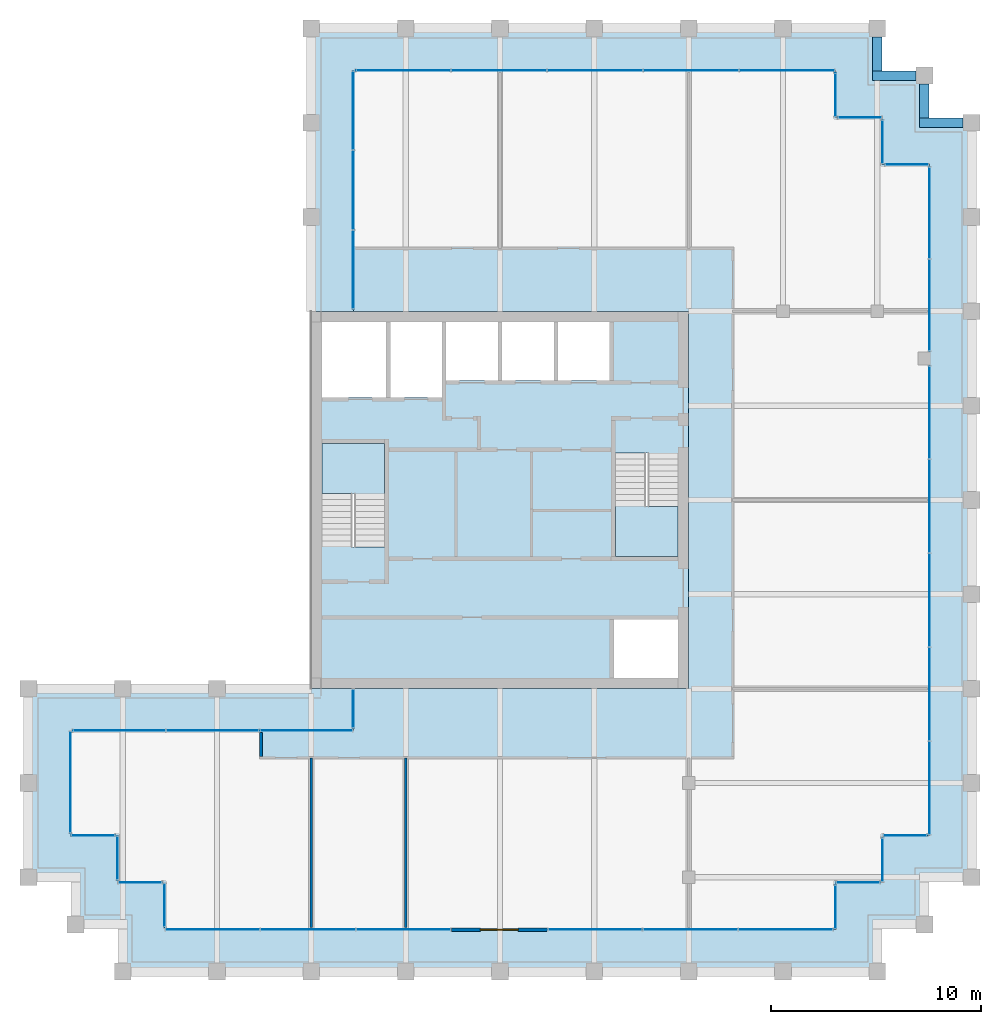
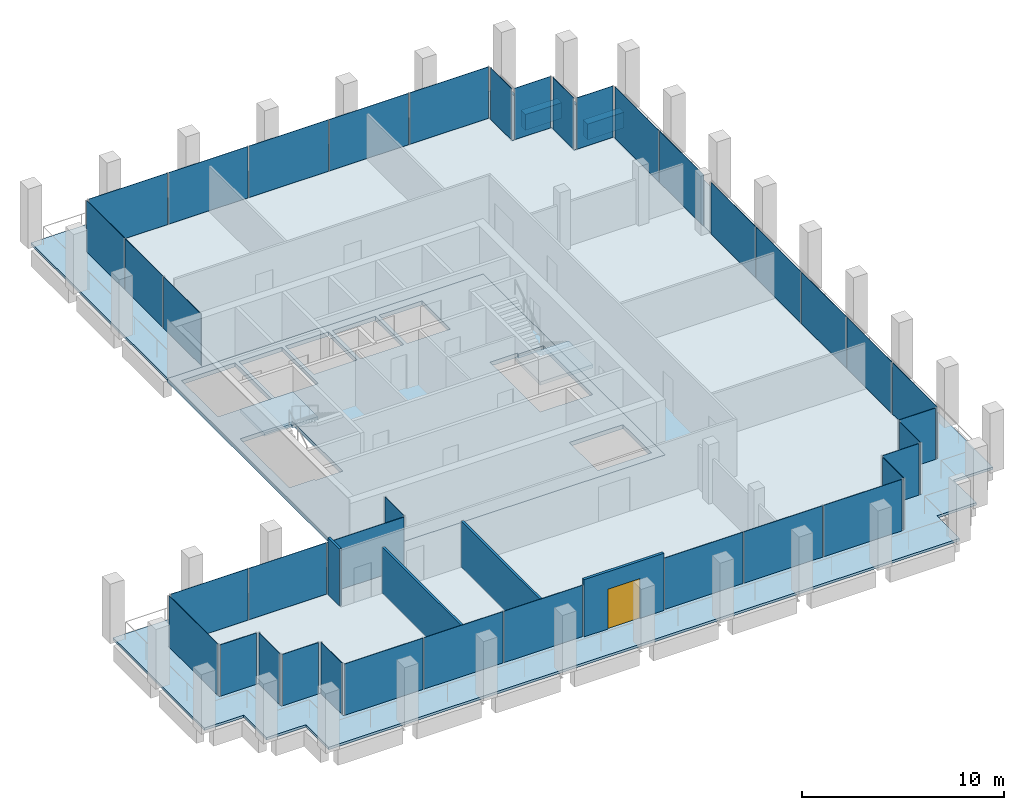
# One storey, part 27 of 30: 38 plates, 5 slabs, 4 beams, 4 walls, 1 door, 1 opening, 23 elements without a shape of their own.
"""IFC4 building model written with IfcOpenShell, lengths in metres."""

from ifc_helpers import new_model, si_unit, direction, frame, frame_2d, origin, origin_2d, place, context, subcontext, project, spatial, polyline, rectangle, outline, extrude, material, layer, layer_set, material_profile, profile_set, type_object, element, fill, aggregate, save


model = new_model("IFC4")

# Units and contexts
model_context = context("Model", 3, precision=1e-05, world=origin(), true_north=direction((0.0, 1.0)))
body_context = subcontext(model_context, "Body", "Model", "MODEL_VIEW")
ifc_project = project(units=[si_unit("LENGTHUNIT", "METRE"), si_unit("AREAUNIT", "SQUARE_METRE"), si_unit("VOLUMEUNIT", "CUBIC_METRE"), si_unit("PLANEANGLEUNIT", "RADIAN"), si_unit("MASSUNIT", "GRAM", prefix="KILO")], contexts=[model_context])

# Site, building, storey
site_placement = place(None, origin())
site = spatial("IfcSite", under=ifc_project, at=site_placement, CompositionType="ELEMENT")
building_placement = place(site_placement, origin())
building = spatial("IfcBuilding", under=site, at=building_placement, Name="Altepetl Exchange Towers", CompositionType="ELEMENT")
storey_placement = place(building_placement, frame((0.0, 0.0, 235.199951171875)))
storey = spatial("IfcBuildingStorey", under=building, at=storey_placement, Name="L60", CompositionType="ELEMENT", Elevation=235.199951171875)

# Beams
ifc_material_1 = material(Name="Concrete C50/60 precast with cantera rosa facing", Category="concrete")
ifc_material_profile = material_profile(ifc_material_1, rectangle(XDim=0.449951171875, YDim=0.949951171875, at=origin_2d()), Name="450 x 950")
ifc_profile_set = profile_set([ifc_material_profile], Name="Concrete C50/60 precast with cantera rosa facing")
beam_type = type_object("IfcBeamType", Name="Spandrel beam 450x950 cantera rosa", PredefinedType="SPANDREL", material=ifc_profile_set)
beam_1_placement = place(storey_placement, frame((71.60009765625, 67.5, -0.625), z_axis=(-1.0, 0.0, 0.0), x_axis=(0.0, -1.0, 0.0)))
element("IfcBeam", 1, at=beam_1_placement, inside=storey, type_object=beam_type, Name="sp:A:L60:020", PredefinedType="SPANDREL", context=body_context, shape_type="SweptSolid", body=[
    extrude(rectangle(XDim=0.449951171875, YDim=0.949951171875, at=origin_2d()), origin(), (0.0, 0.0, 1.0), 2.0751953125),
])
beam_2_placement = place(storey_placement, frame((69.75, 67.72509765625, -0.625), z_axis=(0.0, 1.0, 0.0), x_axis=(-1.0, 0.0, 0.0)))
element("IfcBeam", 2, at=beam_2_placement, inside=storey, type_object=beam_type, Name="sp:A:L60:021", PredefinedType="SPANDREL", context=body_context, shape_type="SweptSolid", body=[
    extrude(rectangle(XDim=0.449951171875, YDim=0.949951171875, at=origin_2d()), origin(), (0.0, 0.0, 1.0), 1.625),
])
beam_3_placement = place(storey_placement, frame((69.35009765625, 69.75, -0.625), z_axis=(-1.0, 0.0, 0.0), x_axis=(0.0, -1.0, 0.0)))
element("IfcBeam", 3, at=beam_3_placement, inside=storey, type_object=beam_type, Name="sp:A:L60:022", PredefinedType="SPANDREL", context=body_context, shape_type="SweptSolid", body=[
    extrude(rectangle(XDim=0.449951171875, YDim=0.949951171875, at=origin_2d()), origin(), (0.0, 0.0, 1.0), 2.0751953125),
])
beam_4_placement = place(storey_placement, frame((67.5, 69.97509765625, -0.625), z_axis=(0.0, 1.0, 0.0), x_axis=(-1.0, 0.0, 0.0)))
element("IfcBeam", 4, at=beam_4_placement, inside=storey, type_object=beam_type, Name="sp:A:L60:023", PredefinedType="SPANDREL", context=body_context, shape_type="SweptSolid", body=[
    extrude(rectangle(XDim=0.449951171875, YDim=0.949951171875, at=origin_2d()), origin(), (0.0, 0.0, 1.0), 1.625),
])

# Slabs
ifc_material_2 = material(Name="Concrete C40/50", Category="concrete")
ifc_layer_1 = layer(ifc_material_2, 0.14990234375)
ifc_layer_set_1 = layer_set([ifc_layer_1], Name="Concrete C40/50")
slab_type_1 = type_object("IfcSlabType", Name="Composite floor slab 150", PredefinedType="FLOOR", material=ifc_layer_set_1)
slab_1_placement = place(storey_placement, frame((0.0, 0.0, -0.14990234375)))
element("IfcSlab", 5, at=slab_1_placement, inside=storey, type_object=slab_type_1, Name="slab:A:L60:strip0", PredefinedType="FLOOR", context=body_context, shape_type="SweptSolid", body=[
    extrude(outline(polyline([(42.5, 70.0), (42.5, 58.5), (58.5, 58.5), (58.5, 40.5), (42.5, 40.5), (42.5, 38.5), (29.0, 38.5), (29.0, 33.5), (31.25, 33.5), (31.25, 31.25), (33.5, 31.25), (33.5, 29.0), (65.5, 29.0), (65.5, 31.25), (67.75, 31.25), (67.75, 33.5), (70.0, 33.5), (70.0, 65.5), (67.75, 65.5), (67.75, 67.75), (65.5, 67.75), (65.5, 70.0), (42.5, 70.0)])), origin(), (0.0, 0.0, 1.0), 0.14990234375),
])
ifc_layer_2 = layer(ifc_material_2, 0.25)
ifc_layer_set_2 = layer_set([ifc_layer_2], Name="Concrete C40/50")
slab_type_2 = type_object("IfcSlabType", Name="Core floor slab 250", PredefinedType="FLOOR", material=ifc_layer_set_2)
slab_2_placement = place(storey_placement, frame((0.0, 0.0, -0.25)))
element("IfcSlab", 6, at=slab_2_placement, inside=storey, type_object=slab_type_2, Name="slab:A:L60:core0", PredefinedType="FLOOR", context=body_context, shape_type="SweptSolid", body=[
    extrude(outline(polyline([(40.5, 40.5), (58.5, 40.5), (58.5, 58.5), (40.5, 58.5), (40.5, 40.5)]), holes=[polyline([(54.93310546875, 43.800048828125), (58.0, 43.800048828125), (58.0, 41.0), (54.93310546875, 41.0), (54.93310546875, 43.800048828125)]), polyline([(55.0, 51.7490234375), (56.550048828125, 51.7490234375), (56.550048828125, 51.64990234375), (58.0, 51.64990234375), (58.0, 46.800048828125), (55.0, 46.800048828125), (55.0, 51.7490234375)]), polyline([(44.0, 47.2509765625), (42.449951171875, 47.2509765625), (42.449951171875, 47.35009765625), (41.0, 47.35009765625), (41.0, 52.199951171875), (44.0, 52.199951171875), (44.0, 47.2509765625)]), polyline([(41.0, 58.0), (44.06689453125, 58.0), (44.06689453125, 54.39990234375), (41.0, 54.39990234375), (41.0, 58.0)]), polyline([(44.26708984375, 58.0), (46.73291015625, 58.0), (46.73291015625, 54.39990234375), (44.26708984375, 54.39990234375), (44.26708984375, 58.0)]), polyline([(46.93310546875, 58.0), (49.39990234375, 58.0), (49.39990234375, 55.199951171875), (46.93310546875, 55.199951171875), (46.93310546875, 58.0)]), polyline([(49.60009765625, 58.0), (52.06689453125, 58.0), (52.06689453125, 55.199951171875), (49.60009765625, 55.199951171875), (49.60009765625, 58.0)]), polyline([(52.26708984375, 58.0), (54.73291015625, 58.0), (54.73291015625, 55.199951171875), (52.26708984375, 55.199951171875), (52.26708984375, 58.0)])]), origin(), (0.0, 0.0, 1.0), 0.25),
])

# Curtain wall, plate
ifc_material_3 = material(Name="Aluminium 6063-T6 glazing", Category="aluminium")
curtain_wall_type = type_object("IfcCurtainWallType", Name="Loggia glazing system", PredefinedType="NOTDEFINED", material=ifc_material_3)
curtain_wall_1_placement = place(storey_placement, origin())
curtain_wall_1 = element("IfcCurtainWall", 7, at=curtain_wall_1_placement, inside=storey, type_object=curtain_wall_type, Name="CW1 run", PredefinedType="NOTDEFINED")
ifc_material_4 = material(Name="Glass 6-16-6 low emissivity", Category="glass")
ifc_layer_3 = layer(ifc_material_4, 0.028076171875)
ifc_layer_set_3 = layer_set([ifc_layer_3], Name="Glass 6-16-6 low emissivity")
plate_type = type_object("IfcPlateType", Name="Glass panel 28 double glazed", PredefinedType="CURTAIN_PANEL", material=ifc_layer_set_3)
plate_1_placement = place(storey_placement, frame((42.5, 39.53759765625, 0.0), z_axis=(0.0, 0.0, 1.0), x_axis=(0.0, -1.0, 0.0)))
plate_1 = element("IfcPlate", 8, at=plate_1_placement, type_object=plate_type, Name="GP1 panel", PredefinedType="CURTAIN_PANEL", context=body_context, shape_type="SweptSolid", body=[
    extrude(rectangle(XDim=1.804931640625, YDim=0.028076171875, at=origin_2d()), origin(), (0.0, 0.0, 1.0), 3.10009765625),
])
aggregate(curtain_wall_1, [plate_1])

# Curtain wall, plates
curtain_wall_2_placement = place(storey_placement, origin())
curtain_wall_2 = element("IfcCurtainWall", 9, at=curtain_wall_2_placement, inside=storey, type_object=curtain_wall_type, Name="CW1 run", PredefinedType="NOTDEFINED")
plate_2_placement = place(storey_placement, frame((40.24755859375, 38.5, 0.0), z_axis=(0.0, 0.0, 1.0), x_axis=(-1.0, 0.0, 0.0)))
plate_2 = element("IfcPlate", 10, at=plate_2_placement, type_object=plate_type, Name="GP1 panel", PredefinedType="CURTAIN_PANEL", context=body_context, shape_type="SweptSolid", body=[
    extrude(rectangle(XDim=4.385009765625, YDim=0.028076171875, at=origin_2d()), origin(), (0.0, 0.0, 1.0), 3.10009765625),
])
plate_3_placement = place(storey_placement, frame((35.78759765625, 38.5, 0.0), z_axis=(0.0, 0.0, 1.0), x_axis=(-1.0, 0.0, 0.0)))
plate_3 = element("IfcPlate", 11, at=plate_3_placement, type_object=plate_type, Name="GP1 panel", PredefinedType="CURTAIN_PANEL", context=body_context, shape_type="SweptSolid", body=[
    extrude(rectangle(XDim=4.4150390625, YDim=0.028076171875, at=origin_2d()), origin(), (0.0, 0.0, 1.0), 3.10009765625),
])
plate_4_placement = place(storey_placement, frame((31.327392578125, 38.5, 0.0), z_axis=(0.0, 0.0, 1.0), x_axis=(-1.0, 0.0, 0.0)))
plate_4 = element("IfcPlate", 12, at=plate_4_placement, type_object=plate_type, Name="GP1 panel", PredefinedType="CURTAIN_PANEL", context=body_context, shape_type="SweptSolid", body=[
    extrude(rectangle(XDim=4.385009765625, YDim=0.028076171875, at=origin_2d()), origin(), (0.0, 0.0, 1.0), 3.10009765625),
])
aggregate(curtain_wall_2, [plate_2, plate_3, plate_4])

# Curtain wall, plate
curtain_wall_3_placement = place(storey_placement, origin())
curtain_wall_3 = element("IfcCurtainWall", 13, at=curtain_wall_3_placement, inside=storey, type_object=curtain_wall_type, Name="CW1 run", PredefinedType="NOTDEFINED")
plate_5_placement = place(storey_placement, frame((29.0, 36.03759765625, 0.0), z_axis=(0.0, 0.0, 1.0), x_axis=(0.0, -1.0, 0.0)))
plate_5 = element("IfcPlate", 14, at=plate_5_placement, type_object=plate_type, Name="GP1 panel", PredefinedType="CURTAIN_PANEL", context=body_context, shape_type="SweptSolid", body=[
    extrude(rectangle(XDim=4.804931640625, YDim=0.028076171875, at=origin_2d()), origin(), (0.0, 0.0, 1.0), 3.10009765625),
])
aggregate(curtain_wall_3, [plate_5])

curtain_wall_4_placement = place(storey_placement, origin())
curtain_wall_4 = element("IfcCurtainWall", 15, at=curtain_wall_4_placement, inside=storey, type_object=curtain_wall_type, Name="CW1 run", PredefinedType="NOTDEFINED")
plate_6_placement = place(storey_placement, frame((30.08740234375, 33.5, 0.0)))
plate_6 = element("IfcPlate", 16, at=plate_6_placement, type_object=plate_type, Name="GP1 panel", PredefinedType="CURTAIN_PANEL", context=body_context, shape_type="SweptSolid", body=[
    extrude(rectangle(XDim=2.054931640625, YDim=0.028076171875, at=origin_2d()), origin(), (0.0, 0.0, 1.0), 3.10009765625),
])
aggregate(curtain_wall_4, [plate_6])

curtain_wall_5_placement = place(storey_placement, origin())
curtain_wall_5 = element("IfcCurtainWall", 17, at=curtain_wall_5_placement, inside=storey, type_object=curtain_wall_type, Name="CW1 run", PredefinedType="NOTDEFINED")
plate_7_placement = place(storey_placement, frame((31.25, 32.41259765625, 0.0), z_axis=(0.0, 0.0, 1.0), x_axis=(0.0, -1.0, 0.0)))
plate_7 = element("IfcPlate", 18, at=plate_7_placement, type_object=plate_type, Name="GP1 panel", PredefinedType="CURTAIN_PANEL", context=body_context, shape_type="SweptSolid", body=[
    extrude(rectangle(XDim=2.054931640625, YDim=0.028076171875, at=origin_2d()), origin(), (0.0, 0.0, 1.0), 3.10009765625),
])
aggregate(curtain_wall_5, [plate_7])

curtain_wall_6_placement = place(storey_placement, origin())
curtain_wall_6 = element("IfcCurtainWall", 19, at=curtain_wall_6_placement, inside=storey, type_object=curtain_wall_type, Name="CW1 run", PredefinedType="NOTDEFINED")
plate_8_placement = place(storey_placement, frame((32.33740234375, 31.25, 0.0)))
plate_8 = element("IfcPlate", 20, at=plate_8_placement, type_object=plate_type, Name="GP1 panel", PredefinedType="CURTAIN_PANEL", context=body_context, shape_type="SweptSolid", body=[
    extrude(rectangle(XDim=2.054931640625, YDim=0.028076171875, at=origin_2d()), origin(), (0.0, 0.0, 1.0), 3.10009765625),
])
aggregate(curtain_wall_6, [plate_8])

curtain_wall_7_placement = place(storey_placement, origin())
curtain_wall_7 = element("IfcCurtainWall", 21, at=curtain_wall_7_placement, inside=storey, type_object=curtain_wall_type, Name="CW1 run", PredefinedType="NOTDEFINED")
plate_9_placement = place(storey_placement, frame((33.5, 30.16259765625, 0.0), z_axis=(0.0, 0.0, 1.0), x_axis=(0.0, -1.0, 0.0)))
plate_9 = element("IfcPlate", 22, at=plate_9_placement, type_object=plate_type, Name="GP1 panel", PredefinedType="CURTAIN_PANEL", context=body_context, shape_type="SweptSolid", body=[
    extrude(rectangle(XDim=2.054931640625, YDim=0.028076171875, at=origin_2d()), origin(), (0.0, 0.0, 1.0), 3.10009765625),
])
aggregate(curtain_wall_7, [plate_9])

# Curtain wall, plates
curtain_wall_8_placement = place(storey_placement, origin())
curtain_wall_8 = element("IfcCurtainWall", 23, at=curtain_wall_8_placement, inside=storey, type_object=curtain_wall_type, Name="CW1 run", PredefinedType="NOTDEFINED")
plate_10_placement = place(storey_placement, frame((35.79541015625, 29.0, 0.0)))
plate_10 = element("IfcPlate", 24, at=plate_10_placement, type_object=plate_type, Name="GP1 panel", PredefinedType="CURTAIN_PANEL", context=body_context, shape_type="SweptSolid", body=[
    extrude(rectangle(XDim=4.470703125, YDim=0.028076171875, at=origin_2d()), origin(), (0.0, 0.0, 1.0), 3.10009765625),
])
plate_11_placement = place(storey_placement, frame((40.341064453125, 29.0, 0.0)))
plate_11 = element("IfcPlate", 25, at=plate_11_placement, type_object=plate_type, Name="GP1 panel", PredefinedType="CURTAIN_PANEL", context=body_context, shape_type="SweptSolid", body=[
    extrude(rectangle(XDim=4.500732421875, YDim=0.028076171875, at=origin_2d()), origin(), (0.0, 0.0, 1.0), 3.10009765625),
])
plate_12_placement = place(storey_placement, frame((44.88671875, 29.0, 0.0)))
plate_12 = element("IfcPlate", 26, at=plate_12_placement, type_object=plate_type, Name="GP1 panel", PredefinedType="CURTAIN_PANEL", context=body_context, shape_type="SweptSolid", body=[
    extrude(rectangle(XDim=4.470703125, YDim=0.028076171875, at=origin_2d()), origin(), (0.0, 0.0, 1.0), 3.10009765625),
])
aggregate(curtain_wall_8, [plate_10, plate_11, plate_12])

curtain_wall_9_placement = place(storey_placement, origin())
curtain_wall_9 = element("IfcCurtainWall", 27, at=curtain_wall_9_placement, inside=storey, type_object=curtain_wall_type, Name="CW1 run", PredefinedType="NOTDEFINED")
plate_13_placement = place(storey_placement, frame((54.038330078125, 29.0, 0.0)))
plate_13 = element("IfcPlate", 28, at=plate_13_placement, type_object=plate_type, Name="GP1 panel", PredefinedType="CURTAIN_PANEL", context=body_context, shape_type="SweptSolid", body=[
    extrude(rectangle(XDim=4.470703125, YDim=0.028076171875, at=origin_2d()), origin(), (0.0, 0.0, 1.0), 3.10009765625),
])
plate_14_placement = place(storey_placement, frame((58.583984375, 29.0, 0.0)))
plate_14 = element("IfcPlate", 29, at=plate_14_placement, type_object=plate_type, Name="GP1 panel", PredefinedType="CURTAIN_PANEL", context=body_context, shape_type="SweptSolid", body=[
    extrude(rectangle(XDim=4.500732421875, YDim=0.028076171875, at=origin_2d()), origin(), (0.0, 0.0, 1.0), 3.10009765625),
])
plate_15_placement = place(storey_placement, frame((63.129638671875, 29.0, 0.0)))
plate_15 = element("IfcPlate", 30, at=plate_15_placement, type_object=plate_type, Name="GP1 panel", PredefinedType="CURTAIN_PANEL", context=body_context, shape_type="SweptSolid", body=[
    extrude(rectangle(XDim=4.470703125, YDim=0.028076171875, at=origin_2d()), origin(), (0.0, 0.0, 1.0), 3.10009765625),
])
aggregate(curtain_wall_9, [plate_13, plate_14, plate_15])

# Curtain wall, plate
curtain_wall_10_placement = place(storey_placement, origin())
curtain_wall_10 = element("IfcCurtainWall", 31, at=curtain_wall_10_placement, inside=storey, type_object=curtain_wall_type, Name="CW1 run", PredefinedType="NOTDEFINED")
plate_16_placement = place(storey_placement, frame((65.5, 30.08740234375, 0.0), z_axis=(0.0, 0.0, 1.0), x_axis=(0.0, 1.0, 0.0)))
plate_16 = element("IfcPlate", 32, at=plate_16_placement, type_object=plate_type, Name="GP1 panel", PredefinedType="CURTAIN_PANEL", context=body_context, shape_type="SweptSolid", body=[
    extrude(rectangle(XDim=2.054931640625, YDim=0.028076171875, at=origin_2d()), origin(), (0.0, 0.0, 1.0), 3.10009765625),
])
aggregate(curtain_wall_10, [plate_16])

curtain_wall_11_placement = place(storey_placement, origin())
curtain_wall_11 = element("IfcCurtainWall", 33, at=curtain_wall_11_placement, inside=storey, type_object=curtain_wall_type, Name="CW1 run", PredefinedType="NOTDEFINED")
plate_17_placement = place(storey_placement, frame((66.58740234375, 31.25, 0.0)))
plate_17 = element("IfcPlate", 34, at=plate_17_placement, type_object=plate_type, Name="GP1 panel", PredefinedType="CURTAIN_PANEL", context=body_context, shape_type="SweptSolid", body=[
    extrude(rectangle(XDim=2.054931640625, YDim=0.028076171875, at=origin_2d()), origin(), (0.0, 0.0, 1.0), 3.10009765625),
])
aggregate(curtain_wall_11, [plate_17])

curtain_wall_12_placement = place(storey_placement, origin())
curtain_wall_12 = element("IfcCurtainWall", 35, at=curtain_wall_12_placement, inside=storey, type_object=curtain_wall_type, Name="CW1 run", PredefinedType="NOTDEFINED")
plate_18_placement = place(storey_placement, frame((67.75, 32.33740234375, 0.0), z_axis=(0.0, 0.0, 1.0), x_axis=(0.0, 1.0, 0.0)))
plate_18 = element("IfcPlate", 36, at=plate_18_placement, type_object=plate_type, Name="GP1 panel", PredefinedType="CURTAIN_PANEL", context=body_context, shape_type="SweptSolid", body=[
    extrude(rectangle(XDim=2.054931640625, YDim=0.028076171875, at=origin_2d()), origin(), (0.0, 0.0, 1.0), 3.10009765625),
])
aggregate(curtain_wall_12, [plate_18])

curtain_wall_13_placement = place(storey_placement, origin())
curtain_wall_13 = element("IfcCurtainWall", 37, at=curtain_wall_13_placement, inside=storey, type_object=curtain_wall_type, Name="CW1 run", PredefinedType="NOTDEFINED")
plate_19_placement = place(storey_placement, frame((68.83740234375, 33.5, 0.0)))
plate_19 = element("IfcPlate", 38, at=plate_19_placement, type_object=plate_type, Name="GP1 panel", PredefinedType="CURTAIN_PANEL", context=body_context, shape_type="SweptSolid", body=[
    extrude(rectangle(XDim=2.054931640625, YDim=0.028076171875, at=origin_2d()), origin(), (0.0, 0.0, 1.0), 3.10009765625),
])
aggregate(curtain_wall_13, [plate_19])

# Curtain wall, plates
curtain_wall_14_placement = place(storey_placement, origin())
curtain_wall_14 = element("IfcCurtainWall", 39, at=curtain_wall_14_placement, inside=storey, type_object=curtain_wall_type, Name="CW1 run", PredefinedType="NOTDEFINED")
plate_20_placement = place(storey_placement, frame((70.0, 35.758056640625, 0.0), z_axis=(0.0, 0.0, 1.0), x_axis=(0.0, 1.0, 0.0)))
plate_20 = element("IfcPlate", 40, at=plate_20_placement, type_object=plate_type, Name="GP1 panel", PredefinedType="CURTAIN_PANEL", context=body_context, shape_type="SweptSolid", body=[
    extrude(rectangle(XDim=4.39599609375, YDim=0.028076171875, at=origin_2d()), origin(), (0.0, 0.0, 1.0), 3.10009765625),
])
plate_21_placement = place(storey_placement, frame((70.0, 40.22900390625, 0.0), z_axis=(0.0, 0.0, 1.0), x_axis=(0.0, 1.0, 0.0)))
plate_21 = element("IfcPlate", 41, at=plate_21_placement, type_object=plate_type, Name="GP1 panel", PredefinedType="CURTAIN_PANEL", context=body_context, shape_type="SweptSolid", body=[
    extrude(rectangle(XDim=4.426025390625, YDim=0.028076171875, at=origin_2d()), origin(), (0.0, 0.0, 1.0), 3.10009765625),
])
plate_22_placement = place(storey_placement, frame((70.0, 44.715087890625, 0.0), z_axis=(0.0, 0.0, 1.0), x_axis=(0.0, 1.0, 0.0)))
plate_22 = element("IfcPlate", 42, at=plate_22_placement, type_object=plate_type, Name="GP1 panel", PredefinedType="CURTAIN_PANEL", context=body_context, shape_type="SweptSolid", body=[
    extrude(rectangle(XDim=4.426025390625, YDim=0.028076171875, at=origin_2d()), origin(), (0.0, 0.0, 1.0), 3.10009765625),
])
plate_23_placement = place(storey_placement, frame((70.0, 49.200927734375, 0.0), z_axis=(0.0, 0.0, 1.0), x_axis=(0.0, 1.0, 0.0)))
plate_23 = element("IfcPlate", 43, at=plate_23_placement, type_object=plate_type, Name="GP1 panel", PredefinedType="CURTAIN_PANEL", context=body_context, shape_type="SweptSolid", body=[
    extrude(rectangle(XDim=4.426025390625, YDim=0.028076171875, at=origin_2d()), origin(), (0.0, 0.0, 1.0), 3.10009765625),
])
plate_24_placement = place(storey_placement, frame((70.0, 53.672119140625, 0.0), z_axis=(0.0, 0.0, 1.0), x_axis=(0.0, 1.0, 0.0)))
plate_24 = element("IfcPlate", 44, at=plate_24_placement, type_object=plate_type, Name="GP1 panel", PredefinedType="CURTAIN_PANEL", context=body_context, shape_type="SweptSolid", body=[
    extrude(rectangle(XDim=4.39599609375, YDim=0.028076171875, at=origin_2d()), origin(), (0.0, 0.0, 1.0), 3.10009765625),
])
aggregate(curtain_wall_14, [plate_20, plate_21, plate_22, plate_23, plate_24])

curtain_wall_15_placement = place(storey_placement, origin())
curtain_wall_15 = element("IfcCurtainWall", 45, at=curtain_wall_15_placement, inside=storey, type_object=curtain_wall_type, Name="CW1 run", PredefinedType="NOTDEFINED")
plate_25_placement = place(storey_placement, frame((70.0, 58.798828125, 0.0), z_axis=(0.0, 0.0, 1.0), x_axis=(0.0, 1.0, 0.0)))
plate_25 = element("IfcPlate", 46, at=plate_25_placement, type_object=plate_type, Name="GP1 panel", PredefinedType="CURTAIN_PANEL", context=body_context, shape_type="SweptSolid", body=[
    extrude(rectangle(XDim=4.33740234375, YDim=0.028076171875, at=origin_2d()), origin(), (0.0, 0.0, 1.0), 3.10009765625),
])
plate_26_placement = place(storey_placement, frame((70.0, 63.1962890625, 0.0), z_axis=(0.0, 0.0, 1.0), x_axis=(0.0, 1.0, 0.0)))
plate_26 = element("IfcPlate", 47, at=plate_26_placement, type_object=plate_type, Name="GP1 panel", PredefinedType="CURTAIN_PANEL", context=body_context, shape_type="SweptSolid", body=[
    extrude(rectangle(XDim=4.33740234375, YDim=0.028076171875, at=origin_2d()), origin(), (0.0, 0.0, 1.0), 3.10009765625),
])
aggregate(curtain_wall_15, [plate_25, plate_26])

# Curtain wall, plate
curtain_wall_16_placement = place(storey_placement, origin())
curtain_wall_16 = element("IfcCurtainWall", 48, at=curtain_wall_16_placement, inside=storey, type_object=curtain_wall_type, Name="CW1 run", PredefinedType="NOTDEFINED")
plate_27_placement = place(storey_placement, frame((68.91259765625, 65.5, 0.0), z_axis=(0.0, 0.0, 1.0), x_axis=(-1.0, 0.0, 0.0)))
plate_27 = element("IfcPlate", 49, at=plate_27_placement, type_object=plate_type, Name="GP1 panel", PredefinedType="CURTAIN_PANEL", context=body_context, shape_type="SweptSolid", body=[
    extrude(rectangle(XDim=2.054931640625, YDim=0.028076171875, at=origin_2d()), origin(), (0.0, 0.0, 1.0), 3.10009765625),
])
aggregate(curtain_wall_16, [plate_27])

curtain_wall_17_placement = place(storey_placement, origin())
curtain_wall_17 = element("IfcCurtainWall", 50, at=curtain_wall_17_placement, inside=storey, type_object=curtain_wall_type, Name="CW1 run", PredefinedType="NOTDEFINED")
plate_28_placement = place(storey_placement, frame((67.75, 66.58740234375, 0.0), z_axis=(0.0, 0.0, 1.0), x_axis=(0.0, 1.0, 0.0)))
plate_28 = element("IfcPlate", 51, at=plate_28_placement, type_object=plate_type, Name="GP1 panel", PredefinedType="CURTAIN_PANEL", context=body_context, shape_type="SweptSolid", body=[
    extrude(rectangle(XDim=2.054931640625, YDim=0.028076171875, at=origin_2d()), origin(), (0.0, 0.0, 1.0), 3.10009765625),
])
aggregate(curtain_wall_17, [plate_28])

curtain_wall_18_placement = place(storey_placement, origin())
curtain_wall_18 = element("IfcCurtainWall", 52, at=curtain_wall_18_placement, inside=storey, type_object=curtain_wall_type, Name="CW1 run", PredefinedType="NOTDEFINED")
plate_29_placement = place(storey_placement, frame((66.66259765625, 67.75, 0.0), z_axis=(0.0, 0.0, 1.0), x_axis=(-1.0, 0.0, 0.0)))
plate_29 = element("IfcPlate", 53, at=plate_29_placement, type_object=plate_type, Name="GP1 panel", PredefinedType="CURTAIN_PANEL", context=body_context, shape_type="SweptSolid", body=[
    extrude(rectangle(XDim=2.054931640625, YDim=0.028076171875, at=origin_2d()), origin(), (0.0, 0.0, 1.0), 3.10009765625),
])
aggregate(curtain_wall_18, [plate_29])

curtain_wall_19_placement = place(storey_placement, origin())
curtain_wall_19 = element("IfcCurtainWall", 54, at=curtain_wall_19_placement, inside=storey, type_object=curtain_wall_type, Name="CW1 run", PredefinedType="NOTDEFINED")
plate_30_placement = place(storey_placement, frame((65.5, 68.83740234375, 0.0), z_axis=(0.0, 0.0, 1.0), x_axis=(0.0, 1.0, 0.0)))
plate_30 = element("IfcPlate", 55, at=plate_30_placement, type_object=plate_type, Name="GP1 panel", PredefinedType="CURTAIN_PANEL", context=body_context, shape_type="SweptSolid", body=[
    extrude(rectangle(XDim=2.054931640625, YDim=0.028076171875, at=origin_2d()), origin(), (0.0, 0.0, 1.0), 3.10009765625),
])
aggregate(curtain_wall_19, [plate_30])

# Curtain wall, plates
curtain_wall_20_placement = place(storey_placement, origin())
curtain_wall_20 = element("IfcCurtainWall", 56, at=curtain_wall_20_placement, inside=storey, type_object=curtain_wall_type, Name="CW1 run", PredefinedType="NOTDEFINED")
plate_31_placement = place(storey_placement, frame((63.1923828125, 70.0, 0.0), z_axis=(0.0, 0.0, 1.0), x_axis=(-1.0, 0.0, 0.0)))
plate_31 = element("IfcPlate", 57, at=plate_31_placement, type_object=plate_type, Name="GP1 panel", PredefinedType="CURTAIN_PANEL", context=body_context, shape_type="SweptSolid", body=[
    extrude(rectangle(XDim=4.4951171875, YDim=0.028076171875, at=origin_2d()), origin(), (0.0, 0.0, 1.0), 3.10009765625),
])
plate_32_placement = place(storey_placement, frame((58.62255859375, 70.0, 0.0), z_axis=(0.0, 0.0, 1.0), x_axis=(-1.0, 0.0, 0.0)))
plate_32 = element("IfcPlate", 58, at=plate_32_placement, type_object=plate_type, Name="GP1 panel", PredefinedType="CURTAIN_PANEL", context=body_context, shape_type="SweptSolid", body=[
    extrude(rectangle(XDim=4.52490234375, YDim=0.028076171875, at=origin_2d()), origin(), (0.0, 0.0, 1.0), 3.10009765625),
])
plate_33_placement = place(storey_placement, frame((54.03759765625, 70.0, 0.0), z_axis=(0.0, 0.0, 1.0), x_axis=(-1.0, 0.0, 0.0)))
plate_33 = element("IfcPlate", 59, at=plate_33_placement, type_object=plate_type, Name="GP1 panel", PredefinedType="CURTAIN_PANEL", context=body_context, shape_type="SweptSolid", body=[
    extrude(rectangle(XDim=4.52490234375, YDim=0.028076171875, at=origin_2d()), origin(), (0.0, 0.0, 1.0), 3.10009765625),
])
plate_34_placement = place(storey_placement, frame((49.452392578125, 70.0, 0.0), z_axis=(0.0, 0.0, 1.0), x_axis=(-1.0, 0.0, 0.0)))
plate_34 = element("IfcPlate", 60, at=plate_34_placement, type_object=plate_type, Name="GP1 panel", PredefinedType="CURTAIN_PANEL", context=body_context, shape_type="SweptSolid", body=[
    extrude(rectangle(XDim=4.52490234375, YDim=0.028076171875, at=origin_2d()), origin(), (0.0, 0.0, 1.0), 3.10009765625),
])
plate_35_placement = place(storey_placement, frame((44.882568359375, 70.0, 0.0), z_axis=(0.0, 0.0, 1.0), x_axis=(-1.0, 0.0, 0.0)))
plate_35 = element("IfcPlate", 61, at=plate_35_placement, type_object=plate_type, Name="GP1 panel", PredefinedType="CURTAIN_PANEL", context=body_context, shape_type="SweptSolid", body=[
    extrude(rectangle(XDim=4.4951171875, YDim=0.028076171875, at=origin_2d()), origin(), (0.0, 0.0, 1.0), 3.10009765625),
])
aggregate(curtain_wall_20, [plate_31, plate_32, plate_33, plate_34, plate_35])

curtain_wall_21_placement = place(storey_placement, origin())
curtain_wall_21 = element("IfcCurtainWall", 62, at=curtain_wall_21_placement, inside=storey, type_object=curtain_wall_type, Name="CW1 run", PredefinedType="NOTDEFINED")
plate_36_placement = place(storey_placement, frame((42.5, 68.080810546875, 0.0), z_axis=(0.0, 0.0, 1.0), x_axis=(0.0, -1.0, 0.0)))
plate_36 = element("IfcPlate", 63, at=plate_36_placement, type_object=plate_type, Name="GP1 panel", PredefinedType="CURTAIN_PANEL", context=body_context, shape_type="SweptSolid", body=[
    extrude(rectangle(XDim=3.71826171875, YDim=0.028076171875, at=origin_2d()), origin(), (0.0, 0.0, 1.0), 3.10009765625),
])
plate_37_placement = place(storey_placement, frame((42.5, 64.28759765625, 0.0), z_axis=(0.0, 0.0, 1.0), x_axis=(0.0, -1.0, 0.0)))
plate_37 = element("IfcPlate", 64, at=plate_37_placement, type_object=plate_type, Name="GP1 panel", PredefinedType="CURTAIN_PANEL", context=body_context, shape_type="SweptSolid", body=[
    extrude(rectangle(XDim=3.748291015625, YDim=0.028076171875, at=origin_2d()), origin(), (0.0, 0.0, 1.0), 3.10009765625),
])
plate_38_placement = place(storey_placement, frame((42.5, 60.494140625, 0.0), z_axis=(0.0, 0.0, 1.0), x_axis=(0.0, -1.0, 0.0)))
plate_38 = element("IfcPlate", 65, at=plate_38_placement, type_object=plate_type, Name="GP1 panel", PredefinedType="CURTAIN_PANEL", context=body_context, shape_type="SweptSolid", body=[
    extrude(rectangle(XDim=3.71826171875, YDim=0.028076171875, at=origin_2d()), origin(), (0.0, 0.0, 1.0), 3.10009765625),
])
aggregate(curtain_wall_21, [plate_36, plate_37, plate_38])

# Slab
ifc_layer_4 = layer(ifc_material_2, 0.14990234375)
ifc_layer_set_4 = layer_set([ifc_layer_4], Name="Concrete C40/50")
slab_type_3 = type_object("IfcSlabType", Name="Loggia slab 150", PredefinedType="FLOOR", material=ifc_layer_set_4)
slab_3_placement = place(storey_placement, frame((0.0, 0.0, -0.14990234375)))
element("IfcSlab", 66, at=slab_3_placement, inside=storey, type_object=slab_type_3, Name="slab:A:L60:loggia0", PredefinedType="FLOOR", context=body_context, shape_type="SweptSolid", body=[
    extrude(outline(polyline([(40.5, 72.0), (40.5, 58.5), (42.5, 58.5), (42.5, 70.0), (65.5, 70.0), (65.5, 67.75), (67.75, 67.75), (67.75, 65.5), (70.0, 65.5), (70.0, 33.5), (67.75, 33.5), (67.75, 31.25), (65.5, 31.25), (65.5, 29.0), (33.5, 29.0), (33.5, 31.25), (31.25, 31.25), (31.25, 33.5), (29.0, 33.5), (29.0, 38.5), (42.5, 38.5), (42.5, 40.5), (40.5, 40.5), (27.0, 40.5), (27.0, 31.5), (29.25, 31.5), (29.25, 29.25), (31.5, 29.25), (31.5, 27.0), (58.5, 27.0), (67.5, 27.0), (67.5, 29.25), (69.75, 29.25), (69.75, 31.5), (72.0, 31.5), (72.0, 58.5), (72.0, 67.5), (69.75, 67.5), (69.75, 69.75), (67.5, 69.75), (67.5, 72.0), (40.5, 72.0)])), origin(), (0.0, 0.0, 1.0), 0.14990234375),
])

# Stair, slab
stair_type = type_object("IfcStairType", Name="Exit stair 1450 flights dogleg", PredefinedType="HALF_TURN_STAIR", material=ifc_material_2)
stair_1_placement = place(storey_placement, origin())
stair_1 = element("IfcStair", 67, at=stair_1_placement, inside=storey, type_object=stair_type, Name="Exit stair 1", PredefinedType="HALF_TURN_STAIR")
ifc_layer_5 = layer(ifc_material_2, 0.199951171875)
ifc_layer_set_5 = layer_set([ifc_layer_5], Name="Concrete C40/50")
slab_type_4 = type_object("IfcSlabType", Name="Stair landing 200 reinforced concrete", PredefinedType="LANDING", material=ifc_layer_set_5)
slab_4_placement = place(storey_placement, frame((0.0, 0.0, 1.60009765625)))
slab_4 = element("IfcSlab", 68, at=slab_4_placement, type_object=slab_type_4, Name="ST-A1f landing 1", PredefinedType="LANDING", context=body_context, shape_type="SweptSolid", body=[
    extrude(outline(polyline([(44.0, 49.715087890625), (42.550048828125, 49.715087890625), (42.550048828125, 49.81494140625), (42.449951171875, 49.81494140625), (42.449951171875, 49.814208984375), (41.0, 49.814208984375), (41.0, 49.81494140625), (41.0, 52.199951171875), (44.0, 52.199951171875), (44.0, 49.81494140625), (44.0, 49.715087890625)])), origin(), (0.0, 0.0, 1.0), 0.199951171875),
])
aggregate(stair_1, [slab_4])

stair_2_placement = place(storey_placement, origin())
stair_2 = element("IfcStair", 69, at=stair_2_placement, inside=storey, type_object=stair_type, Name="Exit stair 2", PredefinedType="HALF_TURN_STAIR")
slab_5_placement = place(storey_placement, frame((0.0, 0.0, 1.60009765625)))
slab_5 = element("IfcSlab", 70, at=slab_5_placement, type_object=slab_type_4, Name="ST-A2f landing 1", PredefinedType="LANDING", context=body_context, shape_type="SweptSolid", body=[
    extrude(outline(polyline([(58.0, 46.800048828125), (55.0, 46.800048828125), (55.0, 49.18505859375), (55.0, 49.284912109375), (56.449951171875, 49.284912109375), (56.449951171875, 49.18505859375), (56.550048828125, 49.18505859375), (56.550048828125, 49.185791015625), (58.0, 49.185791015625), (58.0, 49.18505859375), (58.0, 46.800048828125)])), origin(), (0.0, 0.0, 1.0), 0.199951171875),
])
aggregate(stair_2, [slab_5])

# Wall, opening, door
ifc_material_5 = material(Name="Aluminium composite cladding", Category="aluminium")
ifc_layer_6 = layer(ifc_material_5, 0.14990234375)
ifc_layer_set_6 = layer_set([ifc_layer_6], Name="Aluminium composite cladding")
wall_type_1 = type_object("IfcWallType", Name="Infill wall 150 aluminium panel", PredefinedType="SOLIDWALL", material=ifc_layer_set_6)
wall_1_placement = place(storey_placement, frame((47.18212890625, 29.0, 0.0)))
wall_1 = element("IfcWall", 71, at=wall_1_placement, inside=storey, type_object=wall_type_1, Name="Loggia door bay wall", PredefinedType="SOLIDWALL", context=body_context, shape_type="SweptSolid", body=[
    extrude(rectangle(XDim=4.560791015625, YDim=0.14990234375, at=frame_2d((2.2802734375, 0.0))), origin(), (0.0, 0.0, 1.0), 3.449951171875),
])
opening_placement = place(wall_1_placement, frame((1.38037109375, 0.0, 0.0)))
opening = element("IfcOpeningElement", 72, at=opening_placement, cuts=wall_1, Name="Opening L60.A90", PredefinedType="OPENING", context=body_context, shape_type="SweptSolid", body=[
    extrude(rectangle(XDim=1.800048828125, YDim=2.39990234375, at=frame_2d((0.89990234375, 1.199951171875))), frame((0.0, 0.0849609375, 0.0), z_axis=(0.0, -1.0, 0.0), x_axis=(1.0, 0.0, 0.0)), (0.0, 0.0, 1.0), 0.169921875),
])
ifc_material_6 = material(Name="Aluminium 6063-T6 and glass", Category="aluminium")
door_type = type_object("IfcDoorType", Name="Glazed door pair 1800x2400", OperationType="DOUBLE_DOOR_DOUBLE_SWING", PredefinedType="NOTDEFINED", material=ifc_material_6)
door_placement = place(opening_placement, frame((1.800048828125, 0.0, 0.0), x_axis=(-1.0, 0.0, 0.0)))
door = element("IfcDoor", 73, at=door_placement, inside=storey, type_object=door_type, Name="Loggia door", OperationType="DOUBLE_DOOR_DOUBLE_SWING", OverallHeight=2.39990234375, OverallWidth=1.800048828125, PredefinedType="NOTDEFINED", context=body_context, shape_type="SweptSolid", body=[
    extrude(rectangle(XDim=1.800048828125, YDim=2.39990234375, at=frame_2d((0.89990234375, 1.199951171875))), frame((0.0, 0.02490234375, 0.0), z_axis=(0.0, -1.0, 0.0), x_axis=(1.0, 0.0, 0.0)), (0.0, 0.0, 1.0), 0.050048828125),
])
fill(opening, door)

# Walls
ifc_material_7 = material(Name="Gypsum board on steel studs", Category="steel")
ifc_layer_7 = layer(ifc_material_7, 0.125)
ifc_layer_set_7 = layer_set([ifc_layer_7], Name="Gypsum board on steel studs")
wall_type_2 = type_object("IfcWallType", Name="Partition 125 gypsum board on steel studs", PredefinedType="PARTITIONING", material=ifc_layer_set_7)
wall_2_placement = place(storey_placement, frame((38.10009765625, 37.262451171875, 0.0), z_axis=(0.0, 0.0, 1.0), x_axis=(0.0, 1.0, 0.0)))
element("IfcWall", 74, at=wall_2_placement, inside=storey, type_object=wall_type_2, Name="wall:A:L60:P08", PredefinedType="PARTITIONING", context=body_context, shape_type="SweptSolid", body=[
    extrude(rectangle(XDim=1.137451171875, YDim=0.125, at=frame_2d((0.56884765625, 0.0))), origin(), (0.0, 0.0, 1.0), 3.449951171875),
])
for number, where, z_axis, x_axis, name in (
    (75, (40.5, 29.10009765625, 0.0), (0.0, 0.0, 1.0), (0.0, 1.0, 0.0), "wall:A:L60:P09"),
    (76, (45.0, 29.10009765625, 0.0), (0.0, 0.0, 1.0), (0.0, 1.0, 0.0), "wall:A:L60:P10"),
):
    element("IfcWall", number, at=place(storey_placement, frame(where, z_axis=z_axis, x_axis=x_axis)), inside=storey, type_object=wall_type_2, Name=name, PredefinedType="PARTITIONING", context=body_context, shape_type="SweptSolid", body=[
        extrude(rectangle(XDim=8.099853515625, YDim=0.125, at=frame_2d((4.0498046875, 0.0))), origin(), (0.0, 0.0, 1.0), 2.77197265625),
    ])

save(model, "model.ifc")
